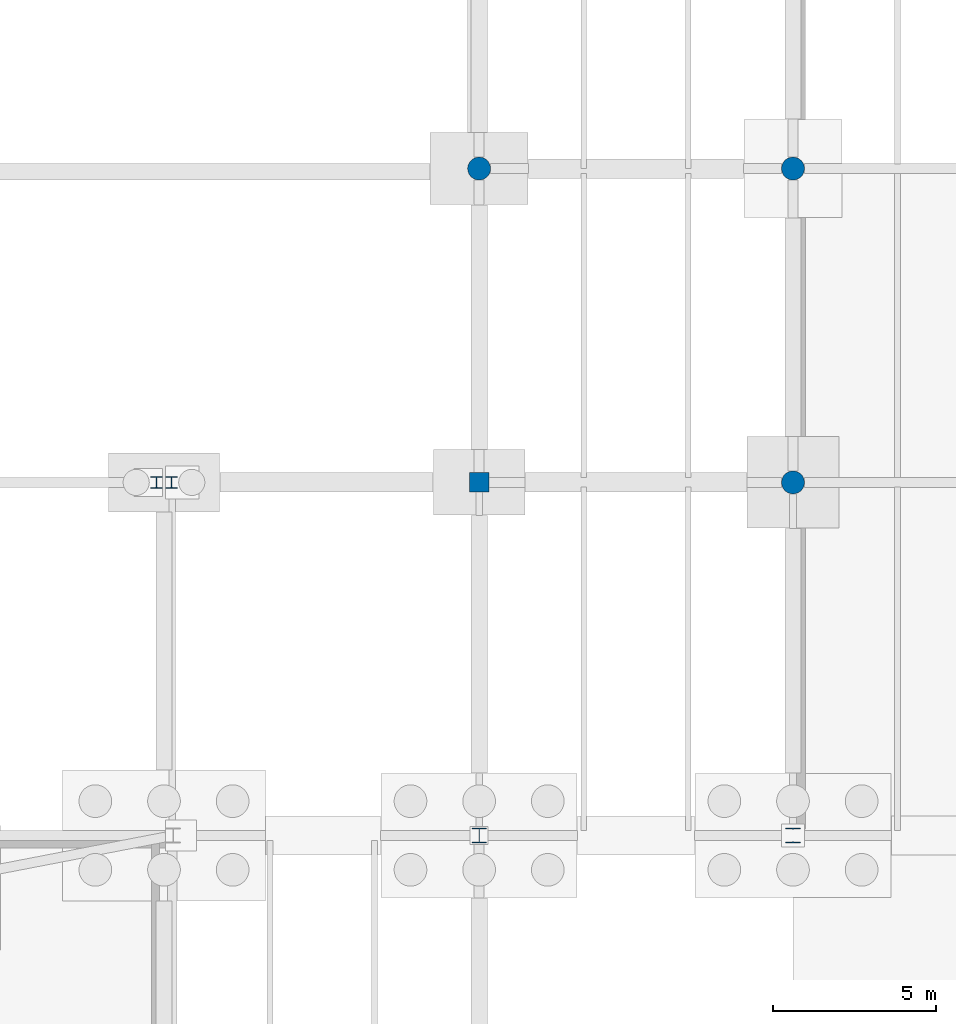
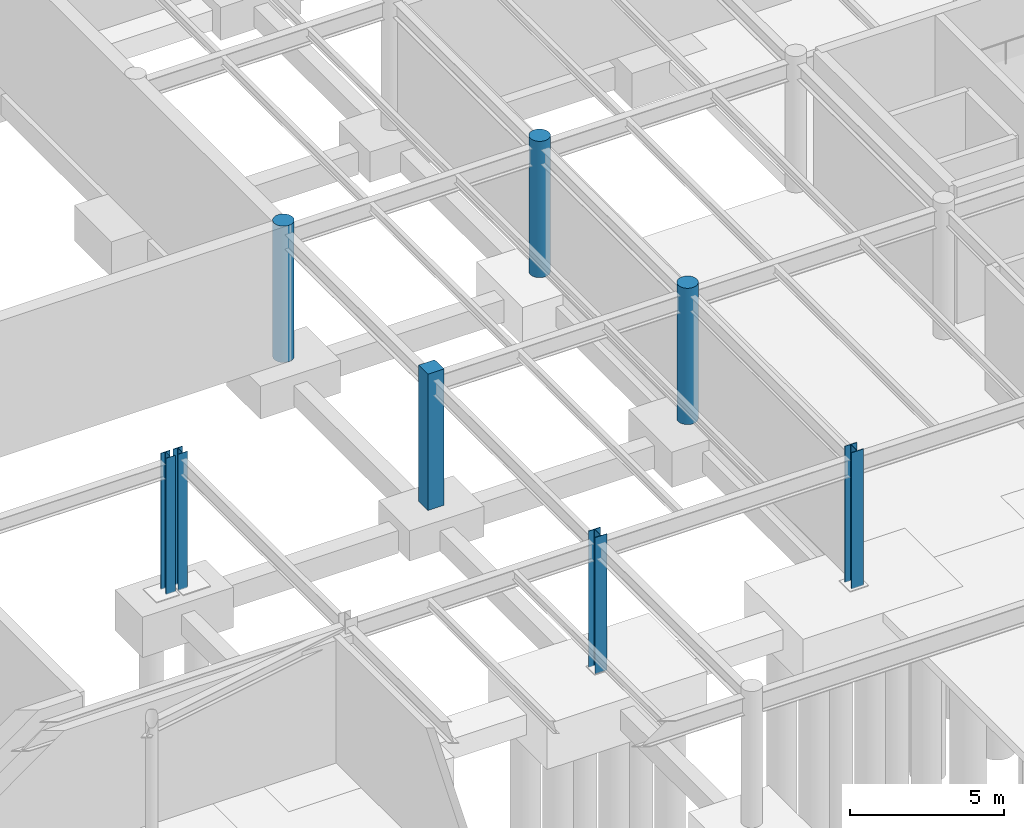
# One storey, part 20 of 50: 8 columns.
"""IFC4 building model written with IfcOpenShell, lengths in metres."""

from ifc_helpers import new_model, si_unit, direction, frame, origin, origin_2d, place, context, subcontext, project, spatial, rectangle, circle, i_section, extrude, material, material_profile, profile_set, type_object, element, save


model = new_model("IFC4")

# Units and contexts
model_context = context("Model", 3, precision=1e-05, world=origin(), true_north=direction((0.0, 1.0)))
body_context = subcontext(model_context, "Body", "Model", "MODEL_VIEW")
ifc_project = project(units=[si_unit("LENGTHUNIT", "METRE"), si_unit("AREAUNIT", "SQUARE_METRE"), si_unit("VOLUMEUNIT", "CUBIC_METRE"), si_unit("PLANEANGLEUNIT", "RADIAN"), si_unit("MASSUNIT", "GRAM", prefix="KILO")], contexts=[model_context])

# Site, building, storey
site_placement = place(None, origin())
site = spatial("IfcSite", under=ifc_project, at=site_placement, CompositionType="ELEMENT")
building_placement = place(site_placement, origin())
building = spatial("IfcBuilding", under=site, at=building_placement, Name="Yeouljin Market Hall", CompositionType="ELEMENT")
storey_placement = place(building_placement, frame((0.0, 0.0, -5.39990234375)))
storey = spatial("IfcBuildingStorey", under=building, at=storey_placement, Name="B1", CompositionType="ELEMENT", Elevation=-5.39990234375)

# Columns
ifc_material_1 = material(Name="Steel SM355", Category="steel")
ifc_material_profile_1 = material_profile(ifc_material_1, i_section(OverallWidth=0.35009765625, OverallDepth=0.35009765625, WebThickness=0.011962890625, FlangeThickness=0.01904296875, FilletRadius=0.02001953125, at=origin_2d()), Name="H-350x350x12x19")
ifc_profile_set_1 = profile_set([ifc_material_profile_1], Name="Steel SM355")
column_type_1 = type_object("IfcColumnType", Name="Col_H-350x350x12x19", PredefinedType="COLUMN", material=ifc_profile_set_1)
for number, where, z_axis, x_axis, name in (
    (1, (35.1298828125, 88.800048828125, 0.0), (0.0, 0.0, 1.0), (1.0, 0.0, 0.0), "Column G-04-09 (B1)"),
    (2, (35.590087890625, 88.800048828125, 0.0), (0.0, 0.0, 1.0), (1.0, 0.0, 0.0), "Column G-05-09 (B1)"),
):
    element("IfcColumn", number, at=place(storey_placement, frame(where, z_axis=z_axis, x_axis=x_axis)), inside=storey, type_object=column_type_1, Name=name, PredefinedType="COLUMN", context=body_context, shape_type="SweptSolid", body=[
        extrude(i_section(OverallWidth=0.35009765625, OverallDepth=0.35009765625, WebThickness=0.011962890625, FlangeThickness=0.01904296875, FilletRadius=0.02001953125, at=origin_2d()), origin(), (0.0, 0.0, 1.0), 5.39990234375),
    ])
ifc_material_2 = material(Name="Steel SM355", Category="steel")
ifc_material_profile_2 = material_profile(ifc_material_2, i_section(OverallWidth=0.449951171875, OverallDepth=0.449951171875, WebThickness=0.013916015625, FlangeThickness=0.02392578125, FilletRadius=0.02392578125, at=origin_2d()), Name="H-450x450x14x24")
ifc_profile_set_2 = profile_set([ifc_material_profile_2], Name="Steel SM355")
column_type_2 = type_object("IfcColumnType", Name="Col_H-450x450x14x24", PredefinedType="COLUMN", material=ifc_profile_set_2)
for number, where, z_axis, x_axis, name in (
    (3, (45.0, 78.0, 0.0), (0.0, 0.0, 1.0), (1.0, 0.0, 0.0), "Column G-06-08 (B1)"),
    (4, (54.60009765625, 78.0, 0.0), (0.0, 0.0, 1.0), (1.0, 0.0, 0.0), "Column G-07-08 (B1)"),
):
    element("IfcColumn", number, at=place(storey_placement, frame(where, z_axis=z_axis, x_axis=x_axis)), inside=storey, type_object=column_type_2, Name=name, PredefinedType="COLUMN", context=body_context, shape_type="SweptSolid", body=[
        extrude(i_section(OverallWidth=0.449951171875, OverallDepth=0.449951171875, WebThickness=0.013916015625, FlangeThickness=0.02392578125, FilletRadius=0.02392578125, at=origin_2d()), origin(), (0.0, 0.0, 1.0), 5.39990234375),
    ])
ifc_material_3 = material(Name="Concrete C35/45", Category="concrete")
ifc_material_profile_3 = material_profile(ifc_material_3, rectangle(XDim=0.60009765625, YDim=0.60009765625, at=origin_2d()), Name="RC-600x600")
ifc_profile_set_3 = profile_set([ifc_material_profile_3], Name="Concrete C35/45")
column_type_3 = type_object("IfcColumnType", Name="Col_RC-600x600", PredefinedType="COLUMN", material=ifc_profile_set_3)
column_placement = place(storey_placement, frame((45.0, 88.800048828125, 0.0), z_axis=(0.0, 0.0, 1.0), x_axis=(1.0, 0.0, 0.0)))
element("IfcColumn", 5, at=column_placement, inside=storey, type_object=column_type_3, Name="Column G-06-09 (B1)", PredefinedType="COLUMN", context=body_context, shape_type="SweptSolid", body=[
    extrude(rectangle(XDim=0.60009765625, YDim=0.60009765625, at=origin_2d()), origin(), (0.0, 0.0, 1.0), 5.39990234375),
])
ifc_material_4 = material(Name="Concrete C35/45", Category="concrete")
ifc_material_profile_4 = material_profile(ifc_material_4, circle(Radius=0.35009765625, at=origin_2d()), Name="RC-D700")
ifc_profile_set_4 = profile_set([ifc_material_profile_4], Name="Concrete C35/45")
column_type_4 = type_object("IfcColumnType", Name="Col_RC-D700", PredefinedType="COLUMN", material=ifc_profile_set_4)
for number, where, z_axis, x_axis, name in (
    (6, (45.0, 98.39990234375, 0.0), (0.0, 0.0, 1.0), (1.0, 0.0, 0.0), "Column G-06-10 (B1)"),
    (7, (54.60009765625, 88.800048828125, 0.0), (0.0, 0.0, 1.0), (1.0, 0.0, 0.0), "Column G-07-09 (B1)"),
    (8, (54.60009765625, 98.39990234375, 0.0), (0.0, 0.0, 1.0), (1.0, 0.0, 0.0), "Column G-07-10 (B1)"),
):
    element("IfcColumn", number, at=place(storey_placement, frame(where, z_axis=z_axis, x_axis=x_axis)), inside=storey, type_object=column_type_4, Name=name, PredefinedType="COLUMN", context=body_context, shape_type="SweptSolid", body=[
        extrude(circle(Radius=0.35009765625, at=origin_2d()), origin(), (0.0, 0.0, 1.0), 5.39990234375),
    ])

save(model, "model.ifc")
